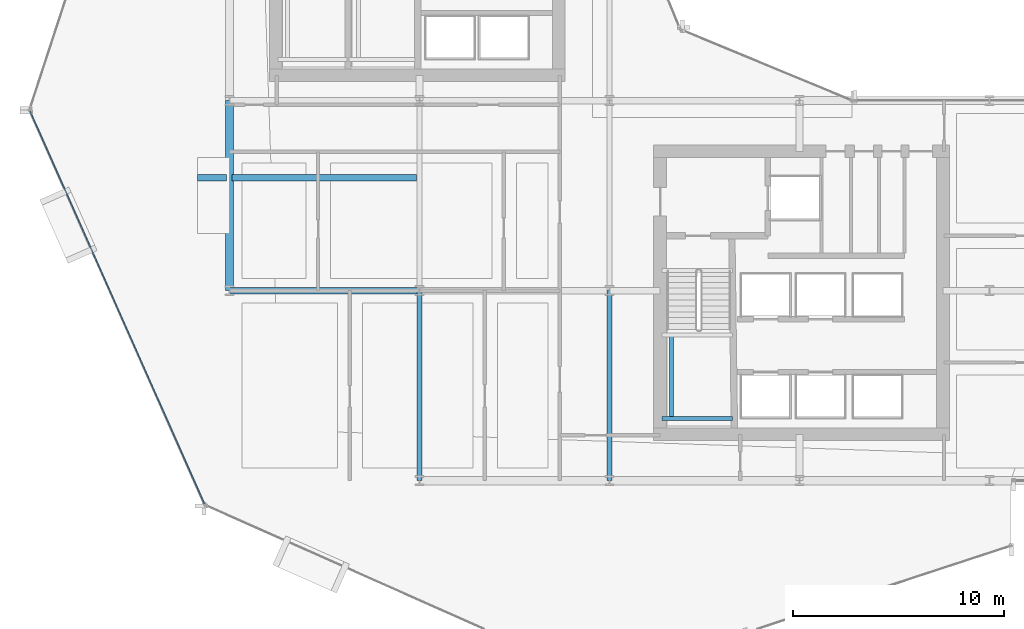
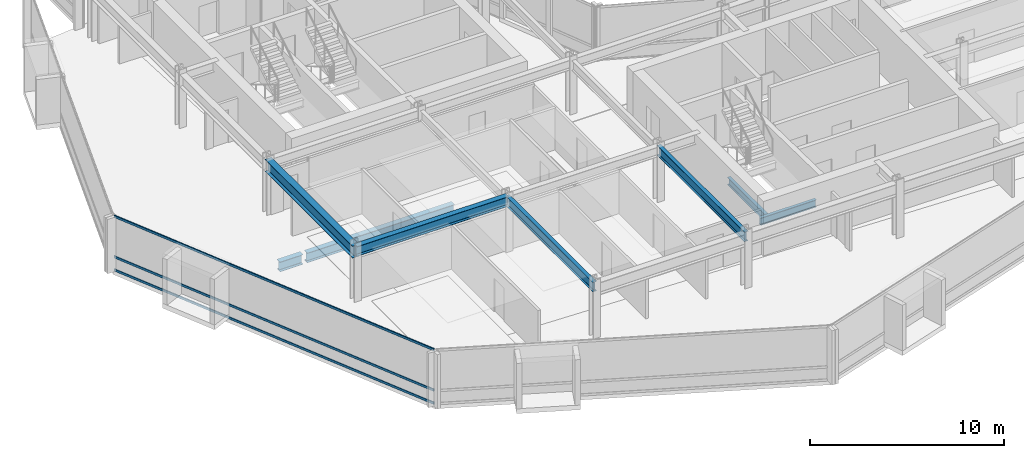
# One storey, part 5 of 34: 8 beams, 3 members, 1 element without a shape of its own.
"""IFC4 building model written with IfcOpenShell, lengths in metres."""

from ifc_helpers import new_model, si_unit, direction, frame, origin, origin_2d, place, context, subcontext, project, spatial, hollow_rectangle, i_section, extrude, material, layer, layer_set, material_profile, profile_set, type_object, element, aggregate, save


model = new_model("IFC4")

# Units and contexts
model_context = context("Model", 3, precision=1e-05, world=origin(), true_north=direction((0.0, 1.0)))
body_context = subcontext(model_context, "Body", "Model", "MODEL_VIEW")
ifc_project = project(units=[si_unit("LENGTHUNIT", "METRE"), si_unit("AREAUNIT", "SQUARE_METRE"), si_unit("VOLUMEUNIT", "CUBIC_METRE"), si_unit("PLANEANGLEUNIT", "RADIAN"), si_unit("MASSUNIT", "GRAM", prefix="KILO")], contexts=[model_context])

# Site, building, storey
site_placement = place(None, origin())
site = spatial("IfcSite", under=ifc_project, at=site_placement, CompositionType="ELEMENT")
building_placement = place(site_placement, origin())
building = spatial("IfcBuilding", under=site, at=building_placement, Name="Solvaryn Broadcast Tower", CompositionType="ELEMENT")
storey_placement = place(building_placement, frame((0.0, 0.0, 73.0)))
storey = spatial("IfcBuildingStorey", under=building, at=storey_placement, Name="L17", CompositionType="ELEMENT", Elevation=73.0)

# Beams
ifc_material_1 = material(Name="Steel ASTM A992 Grade 50", Category="steel")
ifc_material_profile_1 = material_profile(ifc_material_1, i_section(OverallWidth=0.323974609375, OverallDepth=0.611083984375, WebThickness=0.0126953125, FlangeThickness=0.01904296875, FilletRadius=0.014892578125, at=origin_2d()))
ifc_profile_set_1 = profile_set([ifc_material_profile_1], Name="Steel ASTM A992 Grade 50")
beam_type_1 = type_object("IfcBeamType", Name="BM-B1-W24X104", PredefinedType="BEAM", material=ifc_profile_set_1)
beam_1_placement = place(storey_placement, frame((17.875, 23.35009765625, -0.58544921875), z_axis=(-1.0, 0.0, 0.0), x_axis=(0.0, -1.0, 0.0)))
element("IfcBeam", 1, at=beam_1_placement, inside=storey, type_object=beam_type_1, Name="L17 Bay-Box Back-Span Beam 1", PredefinedType="BEAM", context=body_context, shape_type="SweptSolid", body=[
    extrude(i_section(OverallWidth=0.323974609375, OverallDepth=0.611083984375, WebThickness=0.0126953125, FlangeThickness=0.01904296875, FilletRadius=0.014892578125, at=origin_2d()), origin(), (0.0, 0.0, 1.0), 8.75),
])
beam_2_placement = place(storey_placement, frame((9.0, 18.0, 3.114501953125), z_axis=(1.0, 0.0, 0.0), x_axis=(0.0, 1.0, 0.0)))
element("IfcBeam", 2, at=beam_2_placement, inside=storey, type_object=beam_type_1, Name="L17 Primary Beam X (9-18 @ Y=18)", PredefinedType="BEAM", context=body_context, shape_type="SweptSolid", body=[
    extrude(i_section(OverallWidth=0.323974609375, OverallDepth=0.611083984375, WebThickness=0.0126953125, FlangeThickness=0.01904296875, FilletRadius=0.014892578125, at=origin_2d()), origin(), (0.0, 0.0, 1.0), 9.0),
])
ifc_material_2 = material(Name="Steel ASTM A992 Grade 50", Category="steel")
ifc_material_profile_2 = material_profile(ifc_material_2, i_section(OverallWidth=0.22802734375, OverallDepth=0.60791015625, WebThickness=0.01123046875, FlangeThickness=0.017333984375, FilletRadius=0.014892578125, at=origin_2d()))
ifc_profile_set_2 = profile_set([ifc_material_profile_2], Name="Steel ASTM A992 Grade 50")
beam_type_2 = type_object("IfcBeamType", Name="BM-B2-W24X76", PredefinedType="BEAM", material=ifc_profile_set_2)
for number, where, z_axis, x_axis, name in (
    (3, (18.0, 9.0, 3.115966796875), (0.0, 1.0, 0.0), (-1.0, 0.0, 0.0), "L17 Primary Beam Y (9-18 @ X=18)"),
    (4, (27.0, 9.0, 3.115966796875), (0.0, 1.0, 0.0), (-1.0, 0.0, 0.0), "L17 Primary Beam Y (9-18 @ X=27)"),
):
    element("IfcBeam", number, at=place(storey_placement, frame(where, z_axis=z_axis, x_axis=x_axis)), inside=storey, type_object=beam_type_2, Name=name, PredefinedType="BEAM", context=body_context, shape_type="SweptSolid", body=[
        extrude(i_section(OverallWidth=0.22802734375, OverallDepth=0.60791015625, WebThickness=0.01123046875, FlangeThickness=0.017333984375, FilletRadius=0.014892578125, at=origin_2d()), origin(), (0.0, 0.0, 1.0), 9.0),
    ])
ifc_material_3 = material(Name="Steel ASTM A992 Grade 50", Category="steel")
ifc_material_profile_3 = material_profile(ifc_material_3, i_section(OverallWidth=0.18994140625, OverallDepth=0.45703125, WebThickness=0.009033203125, FlangeThickness=0.014404296875, FilletRadius=0.011962890625, at=origin_2d()))
ifc_profile_set_3 = profile_set([ifc_material_profile_3], Name="Steel ASTM A992 Grade 50")
beam_type_3 = type_object("IfcBeamType", Name="BM-B4-W18X50", PredefinedType="BEAM", material=ifc_profile_set_3)
beam_3_placement = place(storey_placement, frame((29.5, 11.949951171875, 1.42138671875), z_axis=(1.0, 0.0, 0.0), x_axis=(0.0, 1.0, 0.0)))
element("IfcBeam", 5, at=beam_3_placement, inside=storey, type_object=beam_type_3, Name="L17 ST3 Landing Support Beam 1A", PredefinedType="BEAM", context=body_context, shape_type="SweptSolid", body=[
    extrude(i_section(OverallWidth=0.18994140625, OverallDepth=0.45703125, WebThickness=0.009033203125, FlangeThickness=0.014404296875, FilletRadius=0.011962890625, at=origin_2d()), origin(), (0.0, 0.0, 1.0), 3.320068359375),
])
beam_4_placement = place(storey_placement, frame((29.949951171875, 11.949951171875, 1.42138671875), z_axis=(0.0, 1.0, 0.0), x_axis=(-1.0, 0.0, 0.0)))
element("IfcBeam", 6, at=beam_4_placement, inside=storey, type_object=beam_type_3, Name="L17 ST3 Landing Cross Stringer 1C", PredefinedType="BEAM", context=body_context, shape_type="SweptSolid", body=[
    extrude(i_section(OverallWidth=0.18994140625, OverallDepth=0.45703125, WebThickness=0.009033203125, FlangeThickness=0.014404296875, FilletRadius=0.011962890625, at=origin_2d()), origin(), (0.0, 0.0, 1.0), 3.9599609375),
])
ifc_material_4 = material(Name="Steel ASTM A992 Grade 50", Category="steel")
ifc_material_profile_4 = material_profile(ifc_material_4, i_section(OverallWidth=0.323974609375, OverallDepth=0.611083984375, WebThickness=0.0126953125, FlangeThickness=0.01904296875, FilletRadius=0.014892578125, at=origin_2d()))
ifc_profile_set_4 = profile_set([ifc_material_profile_4], Name="Steel ASTM A992 Grade 50")
beam_type_4 = type_object("IfcBeamType", Name="BM-CANT-TER", PredefinedType="BEAM", material=ifc_profile_set_4)
beam_5_placement = place(storey_placement, frame((8.875, 23.35009765625, -0.58544921875), z_axis=(-1.0, 0.0, 0.0), x_axis=(0.0, -1.0, 0.0)))
element("IfcBeam", 7, at=beam_5_placement, inside=storey, type_object=beam_type_4, Name="L17 Bay-Box Cantilever Bracket 1", PredefinedType="BEAM", context=body_context, shape_type="SweptSolid", body=[
    extrude(i_section(OverallWidth=0.323974609375, OverallDepth=0.611083984375, WebThickness=0.0126953125, FlangeThickness=0.01904296875, FilletRadius=0.014892578125, at=origin_2d()), origin(), (0.0, 0.0, 1.0), 1.375),
])
ifc_material_5 = material(Name="Steel ASTM A992 Grade 50", Category="steel")
ifc_material_profile_5 = material_profile(ifc_material_5, i_section(OverallWidth=0.381103515625, OverallDepth=0.77294921875, WebThickness=0.0166015625, FlangeThickness=0.027099609375, FilletRadius=0.01806640625, at=origin_2d()))
ifc_profile_set_5 = profile_set([ifc_material_profile_5], Name="Steel ASTM A992 Grade 50")
beam_type_5 = type_object("IfcBeamType", Name="BM-SP1-W30X173", PredefinedType="USERDEFINED", material=ifc_profile_set_5)
beam_6_placement = place(storey_placement, frame((9.0, 18.0, 3.033447265625), z_axis=(0.0, 1.0, 0.0), x_axis=(-1.0, 0.0, 0.0)))
element("IfcBeam", 8, at=beam_6_placement, inside=storey, type_object=beam_type_5, Name="L17 Spandrel Beam Y (18-27 @ X=9)", ObjectType="SPANDREL", PredefinedType="USERDEFINED", context=body_context, shape_type="SweptSolid", body=[
    extrude(i_section(OverallWidth=0.381103515625, OverallDepth=0.77294921875, WebThickness=0.0166015625, FlangeThickness=0.027099609375, FilletRadius=0.01806640625, at=origin_2d()), origin(), (0.0, 0.0, 1.0), 9.0),
])

# Curtain wall, members
ifc_material_6 = material(Name="Aluminium and Terracotta Unitised Curtain Wall", Category="masonry")
ifc_layer = layer(ifc_material_6, 0.199951171875)
ifc_layer_set = layer_set([ifc_layer], Name="CW-SYS2-LOWMID")
curtain_wall_type = type_object("IfcCurtainWallType", Name="CW-SYS2-LOWMID", PredefinedType="NOTDEFINED", material=ifc_layer_set)
curtain_wall_placement = place(storey_placement, origin())
curtain_wall = element("IfcCurtainWall", 9, at=curtain_wall_placement, inside=storey, type_object=curtain_wall_type, Name="L17 Curtain Wall DR2", PredefinedType="NOTDEFINED")
ifc_material_7 = material(Name="Anodised Aluminium 6063-T6", Category="aluminium")
ifc_material_profile_6 = material_profile(ifc_material_7, hollow_rectangle(XDim=0.06494140625, YDim=0.14990234375, WallThickness=0.00390625, InnerFilletRadius=0.00390625, OuterFilletRadius=0.008056640625, at=origin_2d()))
ifc_profile_set_6 = profile_set([ifc_material_profile_6], Name="Anodised Aluminium 6063-T6")
member_type = type_object("IfcMemberType", Name="CW-TRN-150", PredefinedType="USERDEFINED", material=ifc_profile_set_6)
member_1_placement = place(storey_placement, frame((-0.439697265625, 26.505126953125, 0.030029296875), z_axis=(0.405905872269, -0.913914888191, 0.0), x_axis=(0.913914888191, 0.405905872269, 0.0)))
member_1 = element("IfcMember", 10, at=member_1_placement, type_object=member_type, Name="CWS2 transom 1.1", ObjectType="TRANSOM", PredefinedType="USERDEFINED", context=body_context, shape_type="SweptSolid", body=[
    extrude(hollow_rectangle(XDim=0.06494140625, YDim=0.14990234375, WallThickness=0.00390625, InnerFilletRadius=0.00390625, OuterFilletRadius=0.008056640625, at=origin_2d()), origin(), (0.0, 0.0, 1.0), 20.35546875),
])
member_2_placement = place(storey_placement, frame((-0.439697265625, 26.505126953125, 0.85009765625), z_axis=(0.405905872269, -0.913914888191, 0.0), x_axis=(0.913914888191, 0.405905872269, 0.0)))
member_2 = element("IfcMember", 11, at=member_2_placement, type_object=member_type, Name="CWS2 transom 1.2", ObjectType="TRANSOM", PredefinedType="USERDEFINED", context=body_context, shape_type="SweptSolid", body=[
    extrude(hollow_rectangle(XDim=0.06494140625, YDim=0.14990234375, WallThickness=0.00390625, InnerFilletRadius=0.00390625, OuterFilletRadius=0.008056640625, at=origin_2d()), origin(), (0.0, 0.0, 1.0), 20.35546875),
])
member_3_placement = place(storey_placement, frame((-0.439697265625, 26.505126953125, 3.389892578125), z_axis=(0.405905872269, -0.913914888191, 0.0), x_axis=(0.913914888191, 0.405905872269, 0.0)))
member_3 = element("IfcMember", 12, at=member_3_placement, type_object=member_type, Name="CWS2 transom 1.3", ObjectType="TRANSOM", PredefinedType="USERDEFINED", context=body_context, shape_type="SweptSolid", body=[
    extrude(hollow_rectangle(XDim=0.06494140625, YDim=0.14990234375, WallThickness=0.00390625, InnerFilletRadius=0.00390625, OuterFilletRadius=0.008056640625, at=origin_2d()), origin(), (0.0, 0.0, 1.0), 20.35546875),
])
aggregate(curtain_wall, [member_1, member_2, member_3])

save(model, "model.ifc")
